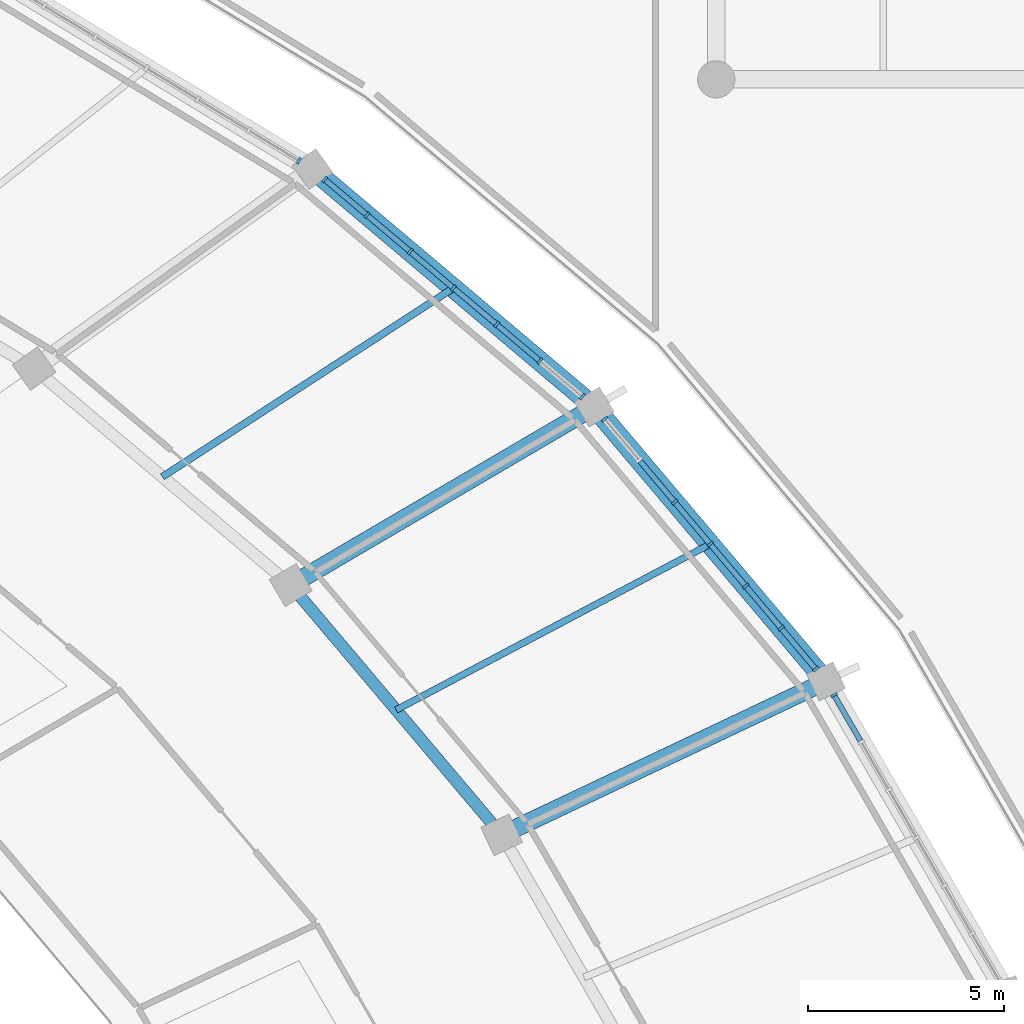
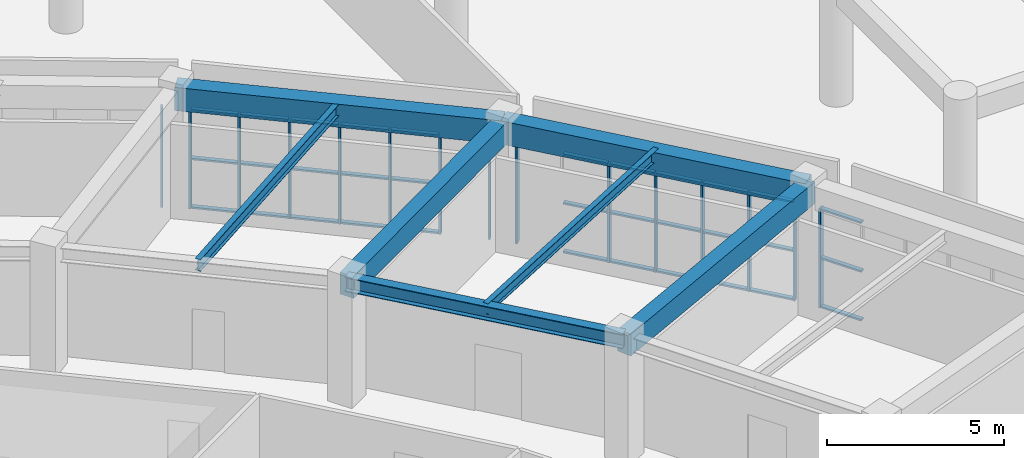
# One storey, part 68 of 141: 48 members, 7 beams, 4 elements without a shape of their own.
"""IFC4 building model written with IfcOpenShell, lengths in metres."""

from ifc_helpers import new_model, si_unit, direction, frame, origin, origin_2d, place, context, subcontext, project, spatial, rectangle, i_section, extrude, material, layer, layer_set, material_profile, profile_set, type_object, element, aggregate, save


model = new_model("IFC4")

# Units and contexts
model_context = context("Model", 3, precision=1e-05, world=origin(), true_north=direction((0.0, 1.0)))
body_context = subcontext(model_context, "Body", "Model", "MODEL_VIEW")
ifc_project = project(units=[si_unit("LENGTHUNIT", "METRE"), si_unit("AREAUNIT", "SQUARE_METRE"), si_unit("VOLUMEUNIT", "CUBIC_METRE"), si_unit("PLANEANGLEUNIT", "RADIAN"), si_unit("MASSUNIT", "GRAM", prefix="KILO")], contexts=[model_context])

# Site, building, storey
site_placement = place(None, origin())
site = spatial("IfcSite", under=ifc_project, at=site_placement, CompositionType="ELEMENT")
building_placement = place(site_placement, origin())
building = spatial("IfcBuilding", under=site, at=building_placement, Name="Mphavela Belvedere Stadium", CompositionType="ELEMENT")
storey_placement = place(building_placement, frame((0.0, 0.0, 14.699951171875)))
storey = spatial("IfcBuildingStorey", under=building, at=storey_placement, Name="L03", CompositionType="ELEMENT", Elevation=14.699951171875)

# Beams
ifc_material_1 = material(Name="Steel S355", Category="steel")
ifc_material_profile_1 = material_profile(ifc_material_1, i_section(OverallWidth=0.169921875, OverallDepth=0.360107421875, WebThickness=0.008056640625, FlangeThickness=0.0126953125, at=origin_2d()), Name="IPE 360")
ifc_profile_set_1 = profile_set([ifc_material_profile_1], Name="Steel S355")
beam_type_1 = type_object("IfcBeamType", Name="BM-JOIST-IPE360", PredefinedType="JOIST", material=ifc_profile_set_1)
beam_1_placement = place(storey_placement, frame((196.2880859375, 129.93115234375, 4.070068359375), z_axis=(0.884250771824, 0.467012390123, 0.0), x_axis=(-0.467012390123, 0.884250771824, 0.0)))
element("IfcBeam", 1, at=beam_1_placement, inside=storey, type_object=beam_type_1, Name="Concourse floor joist L03-05", PredefinedType="JOIST", context=body_context, shape_type="SweptSolid", body=[
    extrude(i_section(OverallWidth=0.169921875, OverallDepth=0.360107421875, WebThickness=0.008056640625, FlangeThickness=0.0126953125, at=origin_2d()), origin(), (0.0, 0.0, 1.0), 9.0498046875),
])
ifc_material_2 = material(Name="Steel S355", Category="steel")
ifc_material_profile_2 = material_profile(ifc_material_2, i_section(OverallWidth=0.179931640625, OverallDepth=0.39990234375, WebThickness=0.008544921875, FlangeThickness=0.013427734375, at=origin_2d()), Name="IPE 400")
ifc_profile_set_2 = profile_set([ifc_material_profile_2], Name="Steel S355")
beam_type_2 = type_object("IfcBeamType", Name="BM-JOIST-IPE400", PredefinedType="JOIST", material=ifc_profile_set_2)
beam_2_placement = place(storey_placement, frame((190.330810546875, 135.872802734375, 4.050048828125), z_axis=(0.838915278194, 0.544262028818, 0.0), x_axis=(-0.544262028818, 0.838915278194, 0.0)))
element("IfcBeam", 2, at=beam_2_placement, inside=storey, type_object=beam_type_2, Name="Concourse floor joist L03-06", PredefinedType="JOIST", context=body_context, shape_type="SweptSolid", body=[
    extrude(i_section(OverallWidth=0.179931640625, OverallDepth=0.39990234375, WebThickness=0.008544921875, FlangeThickness=0.013427734375, at=origin_2d()), origin(), (0.0, 0.0, 1.0), 8.840087890625),
])
ifc_material_3 = material(Name="Concrete C40/50", Category="concrete")
ifc_material_profile_3 = material_profile(ifc_material_3, rectangle(XDim=0.449951171875, YDim=0.75, at=origin_2d()), Name="RC 450x750")
ifc_profile_set_3 = profile_set([ifc_material_profile_3], Name="Concrete C40/50")
beam_type_3 = type_object("IfcBeamType", Name="BM-RC450x750", PredefinedType="BEAM", material=ifc_profile_set_3)
beam_3_placement = place(storey_placement, frame((198.9755859375, 126.748291015625, 3.875), z_axis=(0.903845427073, 0.427859140325, 0.0), x_axis=(-0.427859140325, 0.903845427073, 0.0)))
element("IfcBeam", 3, at=beam_3_placement, inside=storey, type_object=beam_type_3, Name="Radial concourse girder L03 R3R4-05", PredefinedType="BEAM", context=body_context, shape_type="SweptSolid", body=[
    extrude(rectangle(XDim=0.449951171875, YDim=0.75, at=origin_2d()), origin(), (0.0, 0.0, 1.0), 9.146240234375),
])
beam_4_placement = place(storey_placement, frame((193.600341796875, 133.11376953125, 3.875), z_axis=(0.862517779395, 0.506026758411, 0.0), x_axis=(-0.506026758411, 0.862517779395, 0.0)))
element("IfcBeam", 4, at=beam_4_placement, inside=storey, type_object=beam_type_3, Name="Radial concourse girder L03 R3R4-06", PredefinedType="BEAM", context=body_context, shape_type="SweptSolid", body=[
    extrude(rectangle(XDim=0.449951171875, YDim=0.75, at=origin_2d()), origin(), (0.0, 0.0, 1.0), 8.971435546875),
])
ifc_material_4 = material(Name="Concrete C40/50", Category="concrete")
ifc_material_profile_4 = material_profile(ifc_material_4, rectangle(XDim=0.5, YDim=0.800048828125, at=origin_2d()), Name="RC 500x800")
ifc_profile_set_4 = profile_set([ifc_material_profile_4], Name="Concrete C40/50")
beam_type_4 = type_object("IfcBeamType", Name="BM-SPANDREL-800", PredefinedType="SPANDREL", material=ifc_profile_set_4)
beam_5_placement = place(storey_placement, frame((207.242431640625, 130.66162109375, 3.85009765625), z_axis=(-0.645164552218, 0.764043650952, 0.0), x_axis=(-0.764043650952, -0.645164552218, 0.0)))
element("IfcBeam", 5, at=beam_5_placement, inside=storey, type_object=beam_type_4, Name="Circumferential girder L03 R4-05", PredefinedType="SPANDREL", context=body_context, shape_type="SweptSolid", body=[
    extrude(rectangle(XDim=0.5, YDim=0.800048828125, at=origin_2d()), origin(), (0.0, 0.0, 1.0), 9.151123046875),
])
beam_6_placement = place(storey_placement, frame((201.33837890625, 137.653564453125, 3.85009765625), z_axis=(-0.76426547638, 0.644901761212, 0.0), x_axis=(-0.644901761212, -0.76426547638, 0.0)))
element("IfcBeam", 6, at=beam_6_placement, inside=storey, type_object=beam_type_4, Name="Circumferential girder L03 R4-06", PredefinedType="SPANDREL", context=body_context, shape_type="SweptSolid", body=[
    extrude(rectangle(XDim=0.5, YDim=0.800048828125, at=origin_2d()), origin(), (0.0, 0.0, 1.0), 9.3984375),
])
ifc_material_5 = material(Name="Steel S355", Category="steel")
ifc_material_profile_5 = material_profile(ifc_material_5, i_section(OverallWidth=0.300048828125, OverallDepth=0.489990234375, WebThickness=0.011962890625, FlangeThickness=0.02294921875, at=origin_2d()), Name="HEA 500")
ifc_profile_set_5 = profile_set([ifc_material_profile_5], Name="Steel S355")
beam_type_5 = type_object("IfcBeamType", Name="BM-STEEL-HEA500", PredefinedType="BEAM", material=ifc_profile_set_5)
beam_7_placement = place(storey_placement, frame((198.9755859375, 126.748291015625, 4.005126953125), z_axis=(-0.645177396673, 0.764032804808, 0.0), x_axis=(-0.764032804808, -0.645177396673, 0.0)))
element("IfcBeam", 7, at=beam_7_placement, inside=storey, type_object=beam_type_5, Name="Circumferential girder L03 R3-05", PredefinedType="BEAM", context=body_context, shape_type="SweptSolid", body=[
    extrude(i_section(OverallWidth=0.300048828125, OverallDepth=0.489990234375, WebThickness=0.011962890625, FlangeThickness=0.02294921875, at=origin_2d()), origin(), (0.0, 0.0, 1.0), 8.331298828125),
])

# Curtain wall, member
ifc_material_6 = material(Name="Anodised bronze unitised curtain wall framing")
ifc_layer_1 = layer(ifc_material_6, 0.18994140625)
ifc_layer_set_1 = layer_set([ifc_layer_1], Name="Anodised bronze unitised curtain wall framing")
curtain_wall_type_1 = type_object("IfcCurtainWallType", Name="CW-UNIT-03", PredefinedType="USERDEFINED", material=ifc_layer_set_1)
curtain_wall_1_placement = place(storey_placement, origin())
curtain_wall_1 = element("IfcCurtainWall", 8, at=curtain_wall_1_placement, inside=storey, type_object=curtain_wall_type_1, Name="Belvedere colonnade curtain wall L03-04", ObjectType="UNITISED CURTAIN WALL", PredefinedType="USERDEFINED")
ifc_material_7 = material(Name="Anodised bronze extruded aluminium", Category="aluminium")
ifc_material_profile_6 = material_profile(ifc_material_7, rectangle(XDim=0.179931640625, YDim=0.06494140625, at=origin_2d()), Name="CW-MUL 180x65")
ifc_profile_set_6 = profile_set([ifc_material_profile_6], Name="Anodised bronze extruded aluminium")
member_type_1 = type_object("IfcMemberType", Name="CWM-180x65", PredefinedType="MULLION", material=ifc_profile_set_6)
member_1_placement = place(storey_placement, frame((207.445556640625, 130.310546875, 0.0), z_axis=(0.0, 0.0, 1.0), x_axis=(-0.865705257789, -0.50055409961, 0.0)))
member_1 = element("IfcMember", 9, at=member_1_placement, type_object=member_type_1, Name="CW-03 mullion 7", PredefinedType="MULLION", context=body_context, shape_type="SweptSolid", body=[
    extrude(rectangle(XDim=0.179931640625, YDim=0.06494140625, at=origin_2d()), origin(), (0.0, 0.0, 1.0), 3.420166015625),
])

# Curtain wall, members
ifc_material_8 = material(Name="Anodised bronze unitised curtain wall framing")
ifc_layer_2 = layer(ifc_material_8, 0.195068359375)
ifc_layer_set_2 = layer_set([ifc_layer_2], Name="Anodised bronze unitised curtain wall framing")
curtain_wall_type_2 = type_object("IfcCurtainWallType", Name="CW-UNIT-04", PredefinedType="USERDEFINED", material=ifc_layer_set_2)
curtain_wall_2_placement = place(storey_placement, origin())
curtain_wall_2 = element("IfcCurtainWall", 10, at=curtain_wall_2_placement, inside=storey, type_object=curtain_wall_type_2, Name="Belvedere colonnade curtain wall L03-05", ObjectType="UNITISED CURTAIN WALL", PredefinedType="USERDEFINED")
member_2_placement = place(storey_placement, frame((206.98095703125, 130.971435546875, 0.0), z_axis=(0.0, 0.0, 1.0), x_axis=(-0.76403121907, -0.645179274532, 0.0)))
member_2 = element("IfcMember", 11, at=member_2_placement, type_object=member_type_1, Name="CW-04 mullion 1", PredefinedType="MULLION", context=body_context, shape_type="SweptSolid", body=[
    extrude(rectangle(XDim=0.179931640625, YDim=0.06494140625, at=origin_2d()), origin(), (0.0, 0.0, 1.0), 3.420166015625),
])
member_3_placement = place(storey_placement, frame((206.09814453125, 132.016845703125, 0.0), z_axis=(0.0, 0.0, 1.0), x_axis=(-0.76403121907, -0.645179274532, 0.0)))
member_3 = element("IfcMember", 12, at=member_3_placement, type_object=member_type_1, Name="CW-04 mullion 2", PredefinedType="MULLION", context=body_context, shape_type="SweptSolid", body=[
    extrude(rectangle(XDim=0.179931640625, YDim=0.06494140625, at=origin_2d()), origin(), (0.0, 0.0, 1.0), 3.420166015625),
])
member_4_placement = place(storey_placement, frame((205.1943359375, 133.087158203125, 0.0), z_axis=(0.0, 0.0, 1.0), x_axis=(-0.76403121907, -0.645179274532, 0.0)))
member_4 = element("IfcMember", 13, at=member_4_placement, type_object=member_type_1, Name="CW-04 mullion 3", PredefinedType="MULLION", context=body_context, shape_type="SweptSolid", body=[
    extrude(rectangle(XDim=0.179931640625, YDim=0.06494140625, at=origin_2d()), origin(), (0.0, 0.0, 1.0), 3.420166015625),
])
member_5_placement = place(storey_placement, frame((204.290283203125, 134.157470703125, 0.0), z_axis=(0.0, 0.0, 1.0), x_axis=(-0.76403121907, -0.645179274532, 0.0)))
member_5 = element("IfcMember", 14, at=member_5_placement, type_object=member_type_1, Name="CW-04 mullion 4", PredefinedType="MULLION", context=body_context, shape_type="SweptSolid", body=[
    extrude(rectangle(XDim=0.179931640625, YDim=0.06494140625, at=origin_2d()), origin(), (0.0, 0.0, 1.0), 3.420166015625),
])
member_6_placement = place(storey_placement, frame((203.386474609375, 135.227783203125, 0.0), z_axis=(0.0, 0.0, 1.0), x_axis=(-0.76403121907, -0.645179274532, 0.0)))
member_6 = element("IfcMember", 15, at=member_6_placement, type_object=member_type_1, Name="CW-04 mullion 5", PredefinedType="MULLION", context=body_context, shape_type="SweptSolid", body=[
    extrude(rectangle(XDim=0.179931640625, YDim=0.06494140625, at=origin_2d()), origin(), (0.0, 0.0, 1.0), 3.420166015625),
])
member_7_placement = place(storey_placement, frame((201.599853515625, 137.34375, 0.0), z_axis=(0.0, 0.0, 1.0), x_axis=(-0.76403121907, -0.645179274532, 0.0)))
member_7 = element("IfcMember", 16, at=member_7_placement, type_object=member_type_1, Name="CW-04 mullion 7", PredefinedType="MULLION", context=body_context, shape_type="SweptSolid", body=[
    extrude(rectangle(XDim=0.179931640625, YDim=0.06494140625, at=origin_2d()), origin(), (0.0, 0.0, 1.0), 3.420166015625),
])

ifc_material_9 = material(Name="Anodised bronze unitised curtain wall framing")
ifc_layer_3 = layer(ifc_material_9, 0.199951171875)
ifc_layer_set_3 = layer_set([ifc_layer_3], Name="Anodised bronze unitised curtain wall framing")
curtain_wall_type_3 = type_object("IfcCurtainWallType", Name="CW-UNIT-05", PredefinedType="USERDEFINED", material=ifc_layer_set_3)
curtain_wall_3_placement = place(storey_placement, origin())
curtain_wall_3 = element("IfcCurtainWall", 17, at=curtain_wall_3_placement, inside=storey, type_object=curtain_wall_type_3, Name="Belvedere colonnade curtain wall L03-06", ObjectType="UNITISED CURTAIN WALL", PredefinedType="USERDEFINED")
member_8_placement = place(storey_placement, frame((201.0283203125, 137.9150390625, 0.0), z_axis=(0.0, 0.0, 1.0), x_axis=(-0.644904906656, -0.764262822183, 0.0)))
member_8 = element("IfcMember", 18, at=member_8_placement, type_object=member_type_1, Name="CW-05 mullion 1", PredefinedType="MULLION", context=body_context, shape_type="SweptSolid", body=[
    extrude(rectangle(XDim=0.179931640625, YDim=0.06494140625, at=origin_2d()), origin(), (0.0, 0.0, 1.0), 3.420166015625),
])
member_9_placement = place(storey_placement, frame((199.951171875, 138.823974609375, 0.0), z_axis=(0.0, 0.0, 1.0), x_axis=(-0.644904906656, -0.764262822183, 0.0)))
member_9 = element("IfcMember", 19, at=member_9_placement, type_object=member_type_1, Name="CW-05 mullion 2", PredefinedType="MULLION", context=body_context, shape_type="SweptSolid", body=[
    extrude(rectangle(XDim=0.179931640625, YDim=0.06494140625, at=origin_2d()), origin(), (0.0, 0.0, 1.0), 3.420166015625),
])
member_10_placement = place(storey_placement, frame((198.84912109375, 139.754150390625, 0.0), z_axis=(0.0, 0.0, 1.0), x_axis=(-0.644904906656, -0.764262822183, 0.0)))
member_10 = element("IfcMember", 20, at=member_10_placement, type_object=member_type_1, Name="CW-05 mullion 3", PredefinedType="MULLION", context=body_context, shape_type="SweptSolid", body=[
    extrude(rectangle(XDim=0.179931640625, YDim=0.06494140625, at=origin_2d()), origin(), (0.0, 0.0, 1.0), 3.420166015625),
])
member_11_placement = place(storey_placement, frame((197.7470703125, 140.68408203125, 0.0), z_axis=(0.0, 0.0, 1.0), x_axis=(-0.644904906656, -0.764262822183, 0.0)))
member_11 = element("IfcMember", 21, at=member_11_placement, type_object=member_type_1, Name="CW-05 mullion 4", PredefinedType="MULLION", context=body_context, shape_type="SweptSolid", body=[
    extrude(rectangle(XDim=0.179931640625, YDim=0.06494140625, at=origin_2d()), origin(), (0.0, 0.0, 1.0), 3.420166015625),
])
member_12_placement = place(storey_placement, frame((196.644775390625, 141.614013671875, 0.0), z_axis=(0.0, 0.0, 1.0), x_axis=(-0.644904906656, -0.764262822183, 0.0)))
member_12 = element("IfcMember", 22, at=member_12_placement, type_object=member_type_1, Name="CW-05 mullion 5", PredefinedType="MULLION", context=body_context, shape_type="SweptSolid", body=[
    extrude(rectangle(XDim=0.179931640625, YDim=0.06494140625, at=origin_2d()), origin(), (0.0, 0.0, 1.0), 3.420166015625),
])
member_13_placement = place(storey_placement, frame((195.542724609375, 142.5439453125, 0.0), z_axis=(0.0, 0.0, 1.0), x_axis=(-0.644904906656, -0.764262822183, 0.0)))
member_13 = element("IfcMember", 23, at=member_13_placement, type_object=member_type_1, Name="CW-05 mullion 6", PredefinedType="MULLION", context=body_context, shape_type="SweptSolid", body=[
    extrude(rectangle(XDim=0.179931640625, YDim=0.06494140625, at=origin_2d()), origin(), (0.0, 0.0, 1.0), 3.420166015625),
])
member_14_placement = place(storey_placement, frame((194.465576171875, 143.452880859375, 0.0), z_axis=(0.0, 0.0, 1.0), x_axis=(-0.644904906656, -0.764262822183, 0.0)))
member_14 = element("IfcMember", 24, at=member_14_placement, type_object=member_type_1, Name="CW-05 mullion 7", PredefinedType="MULLION", context=body_context, shape_type="SweptSolid", body=[
    extrude(rectangle(XDim=0.179931640625, YDim=0.06494140625, at=origin_2d()), origin(), (0.0, 0.0, 1.0), 3.420166015625),
])

# Curtain wall, member
ifc_material_10 = material(Name="Anodised bronze unitised curtain wall framing")
ifc_layer_4 = layer(ifc_material_10, 0.205078125)
ifc_layer_set_4 = layer_set([ifc_layer_4], Name="Anodised bronze unitised curtain wall framing")
curtain_wall_type_4 = type_object("IfcCurtainWallType", Name="CW-UNIT-06", PredefinedType="USERDEFINED", material=ifc_layer_set_4)
curtain_wall_4_placement = place(storey_placement, origin())
curtain_wall_4 = element("IfcCurtainWall", 25, at=curtain_wall_4_placement, inside=storey, type_object=curtain_wall_type_4, Name="Belvedere colonnade curtain wall L03-07", ObjectType="UNITISED CURTAIN WALL", PredefinedType="USERDEFINED")
member_15_placement = place(storey_placement, frame((193.80908203125, 143.92529296875, 0.0), z_axis=(0.0, 0.0, 1.0), x_axis=(-0.519738342169, -0.8543254975, 0.0)))
member_15 = element("IfcMember", 26, at=member_15_placement, type_object=member_type_1, Name="CW-06 mullion 1", PredefinedType="MULLION", context=body_context, shape_type="SweptSolid", body=[
    extrude(rectangle(XDim=0.179931640625, YDim=0.06494140625, at=origin_2d()), origin(), (0.0, 0.0, 1.0), 3.420166015625),
])
aggregate(curtain_wall_4, [member_15])

# Member
ifc_material_11 = material(Name="Anodised bronze extruded aluminium", Category="aluminium")
ifc_material_profile_7 = material_profile(ifc_material_11, rectangle(XDim=0.139892578125, YDim=0.06005859375, at=origin_2d()), Name="CW-TRN 140x60")
ifc_profile_set_7 = profile_set([ifc_material_profile_7], Name="Anodised bronze extruded aluminium")
member_type_2 = type_object("IfcMemberType", Name="CWT-140x60", PredefinedType="USERDEFINED", material=ifc_profile_set_7)
member_16_placement = place(storey_placement, frame((208.11962890625, 129.14453125, 0.030029296875), z_axis=(-0.500633471094, 0.865659360037, 0.0), x_axis=(-0.865659360037, -0.500633471094, 0.0)))
member_16 = element("IfcMember", 27, at=member_16_placement, type_object=member_type_2, Name="CW-03 transom 6.1", ObjectType="TRANSOM", PredefinedType="USERDEFINED", context=body_context, shape_type="SweptSolid", body=[
    extrude(rectangle(XDim=0.139892578125, YDim=0.06005859375, at=origin_2d()), origin(), (0.0, 0.0, 1.0), 1.314208984375),
])

member_17_placement = place(storey_placement, frame((208.11962890625, 129.14453125, 1.7099609375), z_axis=(-0.500633471094, 0.865659360037, 0.0), x_axis=(-0.865659360037, -0.500633471094, 0.0)))
member_17 = element("IfcMember", 28, at=member_17_placement, type_object=member_type_2, Name="CW-03 transom 6.2", ObjectType="TRANSOM", PredefinedType="USERDEFINED", context=body_context, shape_type="SweptSolid", body=[
    extrude(rectangle(XDim=0.139892578125, YDim=0.06005859375, at=origin_2d()), origin(), (0.0, 0.0, 1.0), 1.314208984375),
])

member_18_placement = place(storey_placement, frame((208.11962890625, 129.14453125, 3.39013671875), z_axis=(-0.500633471094, 0.865659360037, 0.0), x_axis=(-0.865659360037, -0.500633471094, 0.0)))
member_18 = element("IfcMember", 29, at=member_18_placement, type_object=member_type_2, Name="CW-03 transom 6.3", ObjectType="TRANSOM", PredefinedType="USERDEFINED", context=body_context, shape_type="SweptSolid", body=[
    extrude(rectangle(XDim=0.139892578125, YDim=0.06005859375, at=origin_2d()), origin(), (0.0, 0.0, 1.0), 1.314208984375),
])

aggregate(curtain_wall_1, [member_1, member_16, member_17, member_18])

member_19_placement = place(storey_placement, frame((206.9599609375, 130.99609375, 0.030029296875), z_axis=(-0.645127358185, 0.76407505634, 0.0), x_axis=(-0.76407505634, -0.645127358185, 0.0)))
member_19 = element("IfcMember", 30, at=member_19_placement, type_object=member_type_2, Name="CW-04 transom 1.1", ObjectType="TRANSOM", PredefinedType="USERDEFINED", context=body_context, shape_type="SweptSolid", body=[
    extrude(rectangle(XDim=0.139892578125, YDim=0.06005859375, at=origin_2d()), origin(), (0.0, 0.0, 1.0), 1.30322265625),
])

member_20_placement = place(storey_placement, frame((206.9599609375, 130.99609375, 1.7099609375), z_axis=(-0.645127358185, 0.76407505634, 0.0), x_axis=(-0.76407505634, -0.645127358185, 0.0)))
member_20 = element("IfcMember", 31, at=member_20_placement, type_object=member_type_2, Name="CW-04 transom 1.2", ObjectType="TRANSOM", PredefinedType="USERDEFINED", context=body_context, shape_type="SweptSolid", body=[
    extrude(rectangle(XDim=0.139892578125, YDim=0.06005859375, at=origin_2d()), origin(), (0.0, 0.0, 1.0), 1.30322265625),
])

member_21_placement = place(storey_placement, frame((206.9599609375, 130.99609375, 3.39013671875), z_axis=(-0.645127358185, 0.76407505634, 0.0), x_axis=(-0.76407505634, -0.645127358185, 0.0)))
member_21 = element("IfcMember", 32, at=member_21_placement, type_object=member_type_2, Name="CW-04 transom 1.3", ObjectType="TRANSOM", PredefinedType="USERDEFINED", context=body_context, shape_type="SweptSolid", body=[
    extrude(rectangle(XDim=0.139892578125, YDim=0.06005859375, at=origin_2d()), origin(), (0.0, 0.0, 1.0), 1.30322265625),
])

member_22_placement = place(storey_placement, frame((206.0771484375, 132.041748046875, 0.030029296875), z_axis=(-0.645311197861, 0.763919798091, 0.0), x_axis=(-0.763919798091, -0.645311197861, 0.0)))
member_22 = element("IfcMember", 33, at=member_22_placement, type_object=member_type_2, Name="CW-04 transom 2.1", ObjectType="TRANSOM", PredefinedType="USERDEFINED", context=body_context, shape_type="SweptSolid", body=[
    extrude(rectangle(XDim=0.139892578125, YDim=0.06005859375, at=origin_2d()), origin(), (0.0, 0.0, 1.0), 1.3359375),
])

member_23_placement = place(storey_placement, frame((206.0771484375, 132.041748046875, 1.7099609375), z_axis=(-0.645311197861, 0.763919798091, 0.0), x_axis=(-0.763919798091, -0.645311197861, 0.0)))
member_23 = element("IfcMember", 34, at=member_23_placement, type_object=member_type_2, Name="CW-04 transom 2.2", ObjectType="TRANSOM", PredefinedType="USERDEFINED", context=body_context, shape_type="SweptSolid", body=[
    extrude(rectangle(XDim=0.139892578125, YDim=0.06005859375, at=origin_2d()), origin(), (0.0, 0.0, 1.0), 1.3359375),
])

member_24_placement = place(storey_placement, frame((206.0771484375, 132.041748046875, 3.39013671875), z_axis=(-0.645311197861, 0.763919798091, 0.0), x_axis=(-0.763919798091, -0.645311197861, 0.0)))
member_24 = element("IfcMember", 35, at=member_24_placement, type_object=member_type_2, Name="CW-04 transom 2.3", ObjectType="TRANSOM", PredefinedType="USERDEFINED", context=body_context, shape_type="SweptSolid", body=[
    extrude(rectangle(XDim=0.139892578125, YDim=0.06005859375, at=origin_2d()), origin(), (0.0, 0.0, 1.0), 1.3359375),
])

member_25_placement = place(storey_placement, frame((205.17333984375, 133.112060546875, 0.030029296875), z_axis=(-0.645311197861, 0.763919798091, 0.0), x_axis=(-0.763919798091, -0.645311197861, 0.0)))
member_25 = element("IfcMember", 36, at=member_25_placement, type_object=member_type_2, Name="CW-04 transom 3.1", ObjectType="TRANSOM", PredefinedType="USERDEFINED", context=body_context, shape_type="SweptSolid", body=[
    extrude(rectangle(XDim=0.139892578125, YDim=0.06005859375, at=origin_2d()), origin(), (0.0, 0.0, 1.0), 1.3359375),
])

member_26_placement = place(storey_placement, frame((205.17333984375, 133.112060546875, 1.7099609375), z_axis=(-0.645311197861, 0.763919798091, 0.0), x_axis=(-0.763919798091, -0.645311197861, 0.0)))
member_26 = element("IfcMember", 37, at=member_26_placement, type_object=member_type_2, Name="CW-04 transom 3.2", ObjectType="TRANSOM", PredefinedType="USERDEFINED", context=body_context, shape_type="SweptSolid", body=[
    extrude(rectangle(XDim=0.139892578125, YDim=0.06005859375, at=origin_2d()), origin(), (0.0, 0.0, 1.0), 1.3359375),
])

member_27_placement = place(storey_placement, frame((205.17333984375, 133.112060546875, 3.39013671875), z_axis=(-0.645311197861, 0.763919798091, 0.0), x_axis=(-0.763919798091, -0.645311197861, 0.0)))
member_27 = element("IfcMember", 38, at=member_27_placement, type_object=member_type_2, Name="CW-04 transom 3.3", ObjectType="TRANSOM", PredefinedType="USERDEFINED", context=body_context, shape_type="SweptSolid", body=[
    extrude(rectangle(XDim=0.139892578125, YDim=0.06005859375, at=origin_2d()), origin(), (0.0, 0.0, 1.0), 1.3359375),
])

member_28_placement = place(storey_placement, frame((204.26953125, 134.182373046875, 0.030029296875), z_axis=(-0.645311197861, 0.763919798091, 0.0), x_axis=(-0.763919798091, -0.645311197861, 0.0)))
member_28 = element("IfcMember", 39, at=member_28_placement, type_object=member_type_2, Name="CW-04 transom 4.1", ObjectType="TRANSOM", PredefinedType="USERDEFINED", context=body_context, shape_type="SweptSolid", body=[
    extrude(rectangle(XDim=0.139892578125, YDim=0.06005859375, at=origin_2d()), origin(), (0.0, 0.0, 1.0), 1.3359375),
])

member_29_placement = place(storey_placement, frame((204.26953125, 134.182373046875, 1.7099609375), z_axis=(-0.645311197861, 0.763919798091, 0.0), x_axis=(-0.763919798091, -0.645311197861, 0.0)))
member_29 = element("IfcMember", 40, at=member_29_placement, type_object=member_type_2, Name="CW-04 transom 4.2", ObjectType="TRANSOM", PredefinedType="USERDEFINED", context=body_context, shape_type="SweptSolid", body=[
    extrude(rectangle(XDim=0.139892578125, YDim=0.06005859375, at=origin_2d()), origin(), (0.0, 0.0, 1.0), 1.3359375),
])

member_30_placement = place(storey_placement, frame((204.26953125, 134.182373046875, 3.39013671875), z_axis=(-0.645311197861, 0.763919798091, 0.0), x_axis=(-0.763919798091, -0.645311197861, 0.0)))
member_30 = element("IfcMember", 41, at=member_30_placement, type_object=member_type_2, Name="CW-04 transom 4.3", ObjectType="TRANSOM", PredefinedType="USERDEFINED", context=body_context, shape_type="SweptSolid", body=[
    extrude(rectangle(XDim=0.139892578125, YDim=0.06005859375, at=origin_2d()), origin(), (0.0, 0.0, 1.0), 1.3359375),
])

member_31_placement = place(storey_placement, frame((203.365478515625, 135.252685546875, 0.030029296875), z_axis=(-0.645114436759, 0.764085966031, 0.0), x_axis=(-0.764085966031, -0.645114436759, 0.0)))
member_31 = element("IfcMember", 42, at=member_31_placement, type_object=member_type_2, Name="CW-04 transom 5.1", ObjectType="TRANSOM", PredefinedType="USERDEFINED", context=body_context, shape_type="SweptSolid", body=[
    extrude(rectangle(XDim=0.139892578125, YDim=0.06005859375, at=origin_2d()), origin(), (0.0, 0.0, 1.0), 1.3359375),
])

member_32_placement = place(storey_placement, frame((203.365478515625, 135.252685546875, 1.7099609375), z_axis=(-0.645114436759, 0.764085966031, 0.0), x_axis=(-0.764085966031, -0.645114436759, 0.0)))
member_32 = element("IfcMember", 43, at=member_32_placement, type_object=member_type_2, Name="CW-04 transom 5.2", ObjectType="TRANSOM", PredefinedType="USERDEFINED", context=body_context, shape_type="SweptSolid", body=[
    extrude(rectangle(XDim=0.139892578125, YDim=0.06005859375, at=origin_2d()), origin(), (0.0, 0.0, 1.0), 1.3359375),
])

member_33_placement = place(storey_placement, frame((203.365478515625, 135.252685546875, 3.39013671875), z_axis=(-0.645114436759, 0.764085966031, 0.0), x_axis=(-0.764085966031, -0.645114436759, 0.0)))
member_33 = element("IfcMember", 44, at=member_33_placement, type_object=member_type_2, Name="CW-04 transom 5.3", ObjectType="TRANSOM", PredefinedType="USERDEFINED", context=body_context, shape_type="SweptSolid", body=[
    extrude(rectangle(XDim=0.139892578125, YDim=0.06005859375, at=origin_2d()), origin(), (0.0, 0.0, 1.0), 1.3359375),
])

aggregate(curtain_wall_2, [member_2, member_3, member_4, member_5, member_6, member_7, member_19, member_20, member_21, member_22, member_23, member_24, member_25, member_26, member_27, member_28, member_29, member_30, member_31, member_32, member_33])

member_34_placement = place(storey_placement, frame((199.92626953125, 138.844970703125, 0.030029296875), z_axis=(-0.764239602588, 0.64493242269, 0.0), x_axis=(-0.64493242269, -0.764239602588, 0.0)))
member_34 = element("IfcMember", 45, at=member_34_placement, type_object=member_type_2, Name="CW-05 transom 2.1", ObjectType="TRANSOM", PredefinedType="USERDEFINED", context=body_context, shape_type="SweptSolid", body=[
    extrude(rectangle(XDim=0.139892578125, YDim=0.06005859375, at=origin_2d()), origin(), (0.0, 0.0, 1.0), 1.377197265625),
])

member_35_placement = place(storey_placement, frame((199.92626953125, 138.844970703125, 1.7099609375), z_axis=(-0.764239602588, 0.64493242269, 0.0), x_axis=(-0.64493242269, -0.764239602588, 0.0)))
member_35 = element("IfcMember", 46, at=member_35_placement, type_object=member_type_2, Name="CW-05 transom 2.2", ObjectType="TRANSOM", PredefinedType="USERDEFINED", context=body_context, shape_type="SweptSolid", body=[
    extrude(rectangle(XDim=0.139892578125, YDim=0.06005859375, at=origin_2d()), origin(), (0.0, 0.0, 1.0), 1.377197265625),
])

member_36_placement = place(storey_placement, frame((199.92626953125, 138.844970703125, 3.39013671875), z_axis=(-0.764239602588, 0.64493242269, 0.0), x_axis=(-0.64493242269, -0.764239602588, 0.0)))
member_36 = element("IfcMember", 47, at=member_36_placement, type_object=member_type_2, Name="CW-05 transom 2.3", ObjectType="TRANSOM", PredefinedType="USERDEFINED", context=body_context, shape_type="SweptSolid", body=[
    extrude(rectangle(XDim=0.139892578125, YDim=0.06005859375, at=origin_2d()), origin(), (0.0, 0.0, 1.0), 1.377197265625),
])

member_37_placement = place(storey_placement, frame((198.82421875, 139.77490234375, 0.030029296875), z_axis=(-0.764239602588, 0.64493242269, 0.0), x_axis=(-0.64493242269, -0.764239602588, 0.0)))
member_37 = element("IfcMember", 48, at=member_37_placement, type_object=member_type_2, Name="CW-05 transom 3.1", ObjectType="TRANSOM", PredefinedType="USERDEFINED", context=body_context, shape_type="SweptSolid", body=[
    extrude(rectangle(XDim=0.139892578125, YDim=0.06005859375, at=origin_2d()), origin(), (0.0, 0.0, 1.0), 1.377197265625),
])

member_38_placement = place(storey_placement, frame((198.82421875, 139.77490234375, 1.7099609375), z_axis=(-0.764239602588, 0.64493242269, 0.0), x_axis=(-0.64493242269, -0.764239602588, 0.0)))
member_38 = element("IfcMember", 49, at=member_38_placement, type_object=member_type_2, Name="CW-05 transom 3.2", ObjectType="TRANSOM", PredefinedType="USERDEFINED", context=body_context, shape_type="SweptSolid", body=[
    extrude(rectangle(XDim=0.139892578125, YDim=0.06005859375, at=origin_2d()), origin(), (0.0, 0.0, 1.0), 1.377197265625),
])

member_39_placement = place(storey_placement, frame((198.82421875, 139.77490234375, 3.39013671875), z_axis=(-0.764239602588, 0.64493242269, 0.0), x_axis=(-0.64493242269, -0.764239602588, 0.0)))
member_39 = element("IfcMember", 50, at=member_39_placement, type_object=member_type_2, Name="CW-05 transom 3.3", ObjectType="TRANSOM", PredefinedType="USERDEFINED", context=body_context, shape_type="SweptSolid", body=[
    extrude(rectangle(XDim=0.139892578125, YDim=0.06005859375, at=origin_2d()), origin(), (0.0, 0.0, 1.0), 1.377197265625),
])

member_40_placement = place(storey_placement, frame((197.72216796875, 140.705078125, 0.030029296875), z_axis=(-0.764326982188, 0.644828864351, 0.0), x_axis=(-0.644828864351, -0.764326982188, 0.0)))
member_40 = element("IfcMember", 51, at=member_40_placement, type_object=member_type_2, Name="CW-05 transom 4.1", ObjectType="TRANSOM", PredefinedType="USERDEFINED", context=body_context, shape_type="SweptSolid", body=[
    extrude(rectangle(XDim=0.139892578125, YDim=0.06005859375, at=origin_2d()), origin(), (0.0, 0.0, 1.0), 1.376953125),
])

member_41_placement = place(storey_placement, frame((197.72216796875, 140.705078125, 1.7099609375), z_axis=(-0.764326982188, 0.644828864351, 0.0), x_axis=(-0.644828864351, -0.764326982188, 0.0)))
member_41 = element("IfcMember", 52, at=member_41_placement, type_object=member_type_2, Name="CW-05 transom 4.2", ObjectType="TRANSOM", PredefinedType="USERDEFINED", context=body_context, shape_type="SweptSolid", body=[
    extrude(rectangle(XDim=0.139892578125, YDim=0.06005859375, at=origin_2d()), origin(), (0.0, 0.0, 1.0), 1.376953125),
])

member_42_placement = place(storey_placement, frame((197.72216796875, 140.705078125, 3.39013671875), z_axis=(-0.764326982188, 0.644828864351, 0.0), x_axis=(-0.644828864351, -0.764326982188, 0.0)))
member_42 = element("IfcMember", 53, at=member_42_placement, type_object=member_type_2, Name="CW-05 transom 4.3", ObjectType="TRANSOM", PredefinedType="USERDEFINED", context=body_context, shape_type="SweptSolid", body=[
    extrude(rectangle(XDim=0.139892578125, YDim=0.06005859375, at=origin_2d()), origin(), (0.0, 0.0, 1.0), 1.376953125),
])

member_43_placement = place(storey_placement, frame((196.6201171875, 141.635009765625, 0.030029296875), z_axis=(-0.764326982188, 0.644828864351, 0.0), x_axis=(-0.644828864351, -0.764326982188, 0.0)))
member_43 = element("IfcMember", 54, at=member_43_placement, type_object=member_type_2, Name="CW-05 transom 5.1", ObjectType="TRANSOM", PredefinedType="USERDEFINED", context=body_context, shape_type="SweptSolid", body=[
    extrude(rectangle(XDim=0.139892578125, YDim=0.06005859375, at=origin_2d()), origin(), (0.0, 0.0, 1.0), 1.376953125),
])

member_44_placement = place(storey_placement, frame((196.6201171875, 141.635009765625, 1.7099609375), z_axis=(-0.764326982188, 0.644828864351, 0.0), x_axis=(-0.644828864351, -0.764326982188, 0.0)))
member_44 = element("IfcMember", 55, at=member_44_placement, type_object=member_type_2, Name="CW-05 transom 5.2", ObjectType="TRANSOM", PredefinedType="USERDEFINED", context=body_context, shape_type="SweptSolid", body=[
    extrude(rectangle(XDim=0.139892578125, YDim=0.06005859375, at=origin_2d()), origin(), (0.0, 0.0, 1.0), 1.376953125),
])

member_45_placement = place(storey_placement, frame((196.6201171875, 141.635009765625, 3.39013671875), z_axis=(-0.764326982188, 0.644828864351, 0.0), x_axis=(-0.644828864351, -0.764326982188, 0.0)))
member_45 = element("IfcMember", 56, at=member_45_placement, type_object=member_type_2, Name="CW-05 transom 5.3", ObjectType="TRANSOM", PredefinedType="USERDEFINED", context=body_context, shape_type="SweptSolid", body=[
    extrude(rectangle(XDim=0.139892578125, YDim=0.06005859375, at=origin_2d()), origin(), (0.0, 0.0, 1.0), 1.376953125),
])

member_46_placement = place(storey_placement, frame((195.51806640625, 142.56494140625, 0.030029296875), z_axis=(-0.764322248714, 0.644834474978, 0.0), x_axis=(-0.644834474978, -0.764322248714, 0.0)))
member_46 = element("IfcMember", 57, at=member_46_placement, type_object=member_type_2, Name="CW-05 transom 6.1", ObjectType="TRANSOM", PredefinedType="USERDEFINED", context=body_context, shape_type="SweptSolid", body=[
    extrude(rectangle(XDim=0.139892578125, YDim=0.06005859375, at=origin_2d()), origin(), (0.0, 0.0, 1.0), 1.344482421875),
])

member_47_placement = place(storey_placement, frame((195.51806640625, 142.56494140625, 1.7099609375), z_axis=(-0.764322248714, 0.644834474978, 0.0), x_axis=(-0.644834474978, -0.764322248714, 0.0)))
member_47 = element("IfcMember", 58, at=member_47_placement, type_object=member_type_2, Name="CW-05 transom 6.2", ObjectType="TRANSOM", PredefinedType="USERDEFINED", context=body_context, shape_type="SweptSolid", body=[
    extrude(rectangle(XDim=0.139892578125, YDim=0.06005859375, at=origin_2d()), origin(), (0.0, 0.0, 1.0), 1.344482421875),
])

member_48_placement = place(storey_placement, frame((195.51806640625, 142.56494140625, 3.39013671875), z_axis=(-0.764322248714, 0.644834474978, 0.0), x_axis=(-0.644834474978, -0.764322248714, 0.0)))
member_48 = element("IfcMember", 59, at=member_48_placement, type_object=member_type_2, Name="CW-05 transom 6.3", ObjectType="TRANSOM", PredefinedType="USERDEFINED", context=body_context, shape_type="SweptSolid", body=[
    extrude(rectangle(XDim=0.139892578125, YDim=0.06005859375, at=origin_2d()), origin(), (0.0, 0.0, 1.0), 1.344482421875),
])

aggregate(curtain_wall_3, [member_8, member_9, member_10, member_11, member_12, member_13, member_14, member_34, member_35, member_36, member_37, member_38, member_39, member_40, member_41, member_42, member_43, member_44, member_45, member_46, member_47, member_48])

save(model, "model.ifc")
